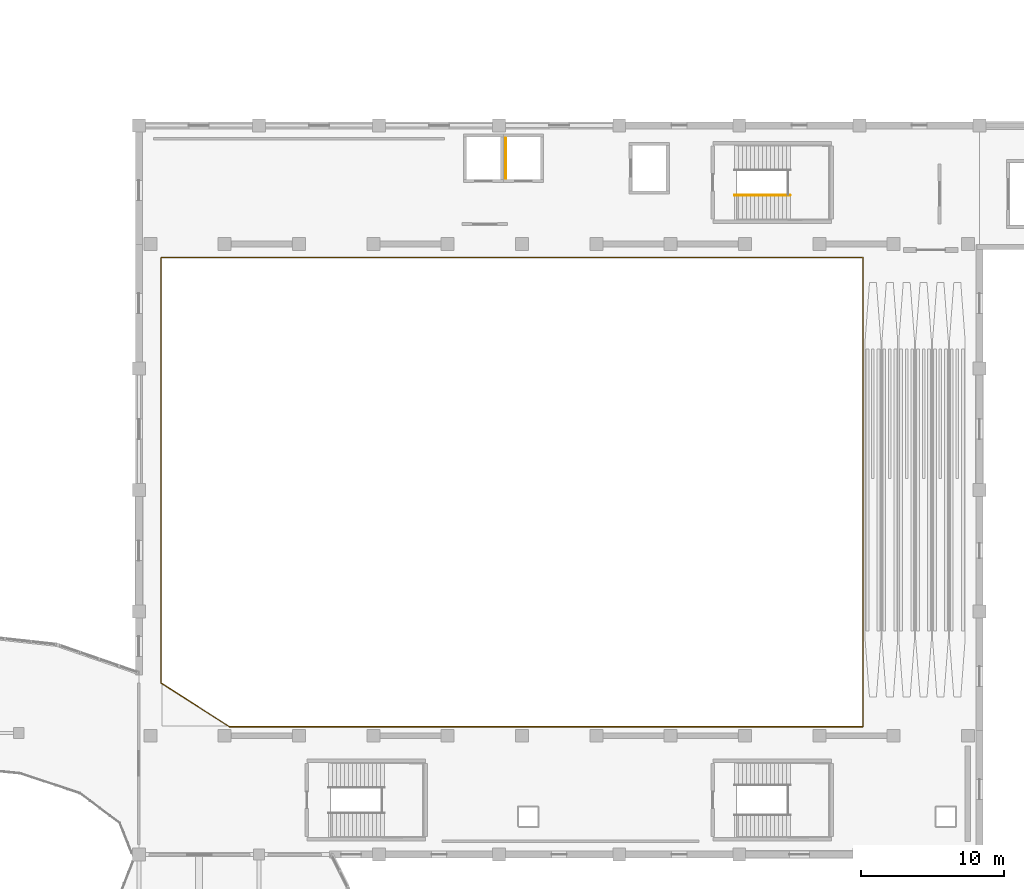
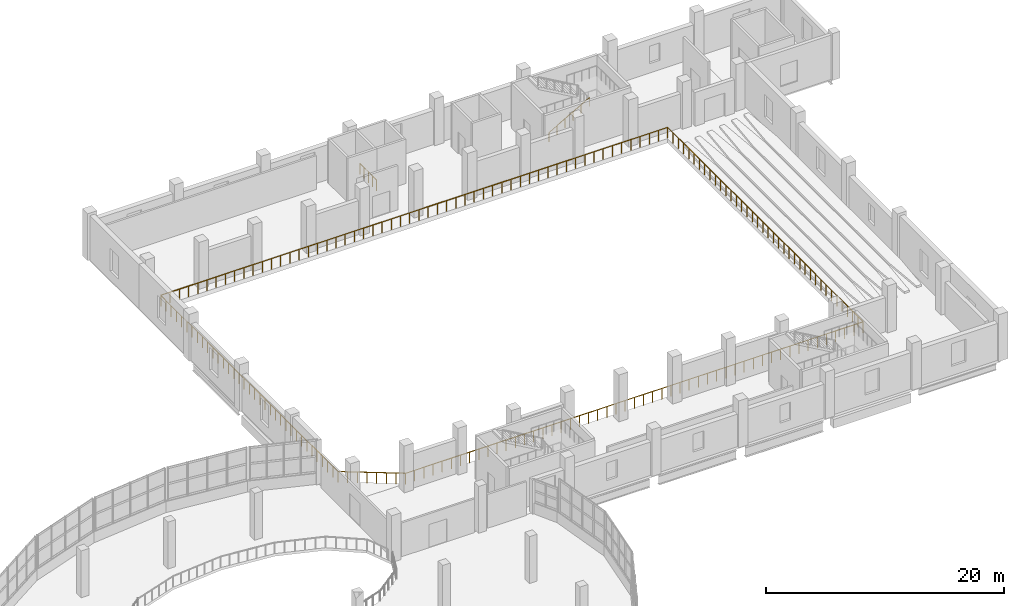
# One storey, part 73 of 77: 4 railings.
"""IFC4 building model written with IfcOpenShell, lengths in metres."""

from ifc_helpers import new_model, si_unit, direction, frame, origin, origin_2d, place, context, subcontext, project, spatial, circle, extrude, material, type_object, element, save


model = new_model("IFC4")

# Units and contexts
model_context = context("Model", 3, precision=1e-05, world=origin(), true_north=direction((0.0, 1.0)))
body_context = subcontext(model_context, "Body", "Model", "MODEL_VIEW")
ifc_project = project(units=[si_unit("LENGTHUNIT", "METRE"), si_unit("AREAUNIT", "SQUARE_METRE"), si_unit("VOLUMEUNIT", "CUBIC_METRE"), si_unit("PLANEANGLEUNIT", "RADIAN"), si_unit("MASSUNIT", "GRAM", prefix="KILO")], contexts=[model_context])

# Site, building, storey
site_placement = place(None, origin())
site = spatial("IfcSite", under=ifc_project, at=site_placement, CompositionType="ELEMENT")
building_placement = place(site_placement, origin())
building = spatial("IfcBuilding", under=site, at=building_placement, Name="Solvento Point Concert Hall", CompositionType="ELEMENT")
storey_placement = place(building_placement, frame((0.0, 0.0, 10.199951171875)))
storey = spatial("IfcBuildingStorey", under=building, at=storey_placement, Name="L02", CompositionType="ELEMENT", Elevation=10.199951171875)

# Railings
ifc_material_1 = material(Name="Brushed Stainless Steel Balustrade", Category="steel")
railing_type_1 = type_object("IfcRailingType", Name="StairHandrail_915", PredefinedType="HANDRAIL", material=ifc_material_1)
railing_1_placement = place(storey_placement, frame((116.050048828125, 88.610107421875, 0.16015625)))
element("IfcRailing", 1, at=railing_1_placement, inside=storey, type_object=railing_type_1, Name="Stair handrail HR-01 ST-03 L02 F1", PredefinedType="HANDRAIL", context=body_context, shape_type="SweptSolid", body=[
    extrude(circle(Radius=0.0224609375, at=origin_2d()), frame((0.0, 0.0, 0.892578125), z_axis=(0.868239814368, 0.0, 0.496144761885), x_axis=(0.0, 1.0, 0.0)), (0.0, 0.0, 1.0), 4.514892578125),
    extrude(circle(Radius=0.01904296875, at=origin_2d()), origin(), (0.0, 0.0, 1.0), 0.8701171875),
    extrude(circle(Radius=0.01904296875, at=origin_2d()), frame((0.783935546875, 0.0, 0.447998046875)), (0.0, 0.0, 1.0), 0.8701171875),
    extrude(circle(Radius=0.01904296875, at=origin_2d()), frame((1.56787109375, 0.0, 0.89599609375)), (0.0, 0.0, 1.0), 0.8701171875),
    extrude(circle(Radius=0.01904296875, at=origin_2d()), frame((2.35205078125, 0.0, 1.343994140625)), (0.0, 0.0, 1.0), 0.8701171875),
    extrude(circle(Radius=0.01904296875, at=origin_2d()), frame((3.135986328125, 0.0, 1.7919921875)), (0.0, 0.0, 1.0), 0.8701171875),
    extrude(circle(Radius=0.01904296875, at=origin_2d()), frame((3.919921875, 0.0, 2.239990234375)), (0.0, 0.0, 1.0), 0.8701171875),
])
ifc_material_2 = material(Name="Brushed Stainless Steel Balustrade", Category="steel")
railing_type_2 = type_object("IfcRailingType", Name="TerraceBalustrade_1100", PredefinedType="BALUSTRADE", material=ifc_material_2)
railing_2_placement = place(storey_placement, frame((75.93994140625, 84.22998046875, 0.0)))
element("IfcRailing", 2, at=railing_2_placement, inside=storey, type_object=railing_type_2, Name="Guard balustrade GR-01 L02", PredefinedType="BALUSTRADE", context=body_context, shape_type="SweptSolid", body=[
    extrude(circle(Radius=0.02392578125, at=origin_2d()), frame((0.0, 0.0, 1.09619140625), z_axis=(0.0, -1.0, 0.0), x_axis=(1.0, 0.0, 0.0)), (0.0, 0.0, 1.0), 29.734130859375),
    extrude(circle(Radius=0.02392578125, at=origin_2d()), frame((0.0, -29.734130859375, 1.09619140625), z_axis=(0.842498773823, -0.538698260724, 0.0), x_axis=(0.538698260724, 0.842498773823, 0.0)), (0.0, 0.0, 1.0), 5.6728515625),
    extrude(circle(Radius=0.02392578125, at=origin_2d()), frame((4.779296875, -32.7900390625, 1.09619140625), z_axis=(1.0, 0.0, 0.0), x_axis=(0.0, 1.0, 0.0)), (0.0, 0.0, 1.0), 44.310791015625),
    extrude(circle(Radius=0.02099609375, at=origin_2d()), origin(), (0.0, 0.0, 1.0), 1.072021484375),
    extrude(circle(Radius=0.02099609375, at=origin_2d()), frame((0.0, -0.87451171875, 0.0)), (0.0, 0.0, 1.0), 1.072021484375),
    extrude(circle(Radius=0.02099609375, at=origin_2d()), frame((0.0, -1.7490234375, 0.0)), (0.0, 0.0, 1.0), 1.072021484375),
    extrude(circle(Radius=0.02099609375, at=origin_2d()), frame((0.0, -2.62353515625, 0.0)), (0.0, 0.0, 1.0), 1.072021484375),
    extrude(circle(Radius=0.02099609375, at=origin_2d()), frame((0.0, -3.498046875, 0.0)), (0.0, 0.0, 1.0), 1.072021484375),
    extrude(circle(Radius=0.02099609375, at=origin_2d()), frame((0.0, -4.37255859375, 0.0)), (0.0, 0.0, 1.0), 1.072021484375),
    extrude(circle(Radius=0.02099609375, at=origin_2d()), frame((0.0, -5.247314453125, 0.0)), (0.0, 0.0, 1.0), 1.072021484375),
    extrude(circle(Radius=0.02099609375, at=origin_2d()), frame((0.0, -6.121826171875, 0.0)), (0.0, 0.0, 1.0), 1.072021484375),
    extrude(circle(Radius=0.02099609375, at=origin_2d()), frame((0.0, -6.996337890625, 0.0)), (0.0, 0.0, 1.0), 1.072021484375),
    extrude(circle(Radius=0.02099609375, at=origin_2d()), frame((0.0, -7.870849609375, 0.0)), (0.0, 0.0, 1.0), 1.072021484375),
    extrude(circle(Radius=0.02099609375, at=origin_2d()), frame((0.0, -8.745361328125, 0.0)), (0.0, 0.0, 1.0), 1.072021484375),
    extrude(circle(Radius=0.02099609375, at=origin_2d()), frame((0.0, -9.619873046875, 0.0)), (0.0, 0.0, 1.0), 1.072021484375),
    extrude(circle(Radius=0.02099609375, at=origin_2d()), frame((0.0, -10.494384765625, 0.0)), (0.0, 0.0, 1.0), 1.072021484375),
    extrude(circle(Radius=0.02099609375, at=origin_2d()), frame((0.0, -11.368896484375, 0.0)), (0.0, 0.0, 1.0), 1.072021484375),
    extrude(circle(Radius=0.02099609375, at=origin_2d()), frame((0.0, -12.243408203125, 0.0)), (0.0, 0.0, 1.0), 1.072021484375),
    extrude(circle(Radius=0.02099609375, at=origin_2d()), frame((0.0, -13.117919921875, 0.0)), (0.0, 0.0, 1.0), 1.072021484375),
    extrude(circle(Radius=0.02099609375, at=origin_2d()), frame((0.0, -13.992431640625, 0.0)), (0.0, 0.0, 1.0), 1.072021484375),
    extrude(circle(Radius=0.02099609375, at=origin_2d()), frame((0.0, -14.8671875, 0.0)), (0.0, 0.0, 1.0), 1.072021484375),
    extrude(circle(Radius=0.02099609375, at=origin_2d()), frame((0.0, -15.74169921875, 0.0)), (0.0, 0.0, 1.0), 1.072021484375),
    extrude(circle(Radius=0.02099609375, at=origin_2d()), frame((0.0, -16.6162109375, 0.0)), (0.0, 0.0, 1.0), 1.072021484375),
    extrude(circle(Radius=0.02099609375, at=origin_2d()), frame((0.0, -17.49072265625, 0.0)), (0.0, 0.0, 1.0), 1.072021484375),
    extrude(circle(Radius=0.02099609375, at=origin_2d()), frame((0.0, -18.365234375, 0.0)), (0.0, 0.0, 1.0), 1.072021484375),
    extrude(circle(Radius=0.02099609375, at=origin_2d()), frame((0.0, -19.23974609375, 0.0)), (0.0, 0.0, 1.0), 1.072021484375),
    extrude(circle(Radius=0.02099609375, at=origin_2d()), frame((0.0, -20.1142578125, 0.0)), (0.0, 0.0, 1.0), 1.072021484375),
    extrude(circle(Radius=0.02099609375, at=origin_2d()), frame((0.0, -20.98876953125, 0.0)), (0.0, 0.0, 1.0), 1.072021484375),
    extrude(circle(Radius=0.02099609375, at=origin_2d()), frame((0.0, -21.86328125, 0.0)), (0.0, 0.0, 1.0), 1.072021484375),
    extrude(circle(Radius=0.02099609375, at=origin_2d()), frame((0.0, -22.73779296875, 0.0)), (0.0, 0.0, 1.0), 1.072021484375),
    extrude(circle(Radius=0.02099609375, at=origin_2d()), frame((0.0, -23.6123046875, 0.0)), (0.0, 0.0, 1.0), 1.072021484375),
    extrude(circle(Radius=0.02099609375, at=origin_2d()), frame((0.0, -24.48681640625, 0.0)), (0.0, 0.0, 1.0), 1.072021484375),
    extrude(circle(Radius=0.02099609375, at=origin_2d()), frame((0.0, -25.361572265625, 0.0)), (0.0, 0.0, 1.0), 1.072021484375),
    extrude(circle(Radius=0.02099609375, at=origin_2d()), frame((0.0, -26.236083984375, 0.0)), (0.0, 0.0, 1.0), 1.072021484375),
    extrude(circle(Radius=0.02099609375, at=origin_2d()), frame((0.0, -27.110595703125, 0.0)), (0.0, 0.0, 1.0), 1.072021484375),
    extrude(circle(Radius=0.02099609375, at=origin_2d()), frame((0.0, -27.985107421875, 0.0)), (0.0, 0.0, 1.0), 1.072021484375),
    extrude(circle(Radius=0.02099609375, at=origin_2d()), frame((0.0, -28.859619140625, 0.0)), (0.0, 0.0, 1.0), 1.072021484375),
    extrude(circle(Radius=0.02099609375, at=origin_2d()), frame((0.0, -29.734130859375, 0.0)), (0.0, 0.0, 1.0), 1.072021484375),
    extrude(circle(Radius=0.02099609375, at=origin_2d()), frame((0.682861328125, -30.170654296875, 0.0)), (0.0, 0.0, 1.0), 1.072021484375),
    extrude(circle(Radius=0.02099609375, at=origin_2d()), frame((1.365478515625, -30.607177734375, 0.0)), (0.0, 0.0, 1.0), 1.072021484375),
    extrude(circle(Radius=0.02099609375, at=origin_2d()), frame((2.04833984375, -31.043701171875, 0.0)), (0.0, 0.0, 1.0), 1.072021484375),
    extrude(circle(Radius=0.02099609375, at=origin_2d()), frame((2.73095703125, -31.48046875, 0.0)), (0.0, 0.0, 1.0), 1.072021484375),
    extrude(circle(Radius=0.02099609375, at=origin_2d()), frame((3.413818359375, -31.9169921875, 0.0)), (0.0, 0.0, 1.0), 1.072021484375),
    extrude(circle(Radius=0.02099609375, at=origin_2d()), frame((4.096435546875, -32.353515625, 0.0)), (0.0, 0.0, 1.0), 1.072021484375),
    extrude(circle(Radius=0.02099609375, at=origin_2d()), frame((4.779296875, -32.7900390625, 0.0)), (0.0, 0.0, 1.0), 1.072021484375),
    extrude(circle(Radius=0.02099609375, at=origin_2d()), frame((5.66552734375, -32.7900390625, 0.0)), (0.0, 0.0, 1.0), 1.072021484375),
    extrude(circle(Radius=0.02099609375, at=origin_2d()), frame((6.5517578125, -32.7900390625, 0.0)), (0.0, 0.0, 1.0), 1.072021484375),
    extrude(circle(Radius=0.02099609375, at=origin_2d()), frame((7.43798828125, -32.7900390625, 0.0)), (0.0, 0.0, 1.0), 1.072021484375),
    extrude(circle(Radius=0.02099609375, at=origin_2d()), frame((8.32421875, -32.7900390625, 0.0)), (0.0, 0.0, 1.0), 1.072021484375),
    extrude(circle(Radius=0.02099609375, at=origin_2d()), frame((9.21044921875, -32.7900390625, 0.0)), (0.0, 0.0, 1.0), 1.072021484375),
    extrude(circle(Radius=0.02099609375, at=origin_2d()), frame((10.0966796875, -32.7900390625, 0.0)), (0.0, 0.0, 1.0), 1.072021484375),
    extrude(circle(Radius=0.02099609375, at=origin_2d()), frame((10.98291015625, -32.7900390625, 0.0)), (0.0, 0.0, 1.0), 1.072021484375),
    extrude(circle(Radius=0.02099609375, at=origin_2d()), frame((11.869140625, -32.7900390625, 0.0)), (0.0, 0.0, 1.0), 1.072021484375),
    extrude(circle(Radius=0.02099609375, at=origin_2d()), frame((12.755126953125, -32.7900390625, 0.0)), (0.0, 0.0, 1.0), 1.072021484375),
    extrude(circle(Radius=0.02099609375, at=origin_2d()), frame((13.641357421875, -32.7900390625, 0.0)), (0.0, 0.0, 1.0), 1.072021484375),
    extrude(circle(Radius=0.02099609375, at=origin_2d()), frame((14.527587890625, -32.7900390625, 0.0)), (0.0, 0.0, 1.0), 1.072021484375),
    extrude(circle(Radius=0.02099609375, at=origin_2d()), frame((15.413818359375, -32.7900390625, 0.0)), (0.0, 0.0, 1.0), 1.072021484375),
    extrude(circle(Radius=0.02099609375, at=origin_2d()), frame((16.300048828125, -32.7900390625, 0.0)), (0.0, 0.0, 1.0), 1.072021484375),
    extrude(circle(Radius=0.02099609375, at=origin_2d()), frame((17.186279296875, -32.7900390625, 0.0)), (0.0, 0.0, 1.0), 1.072021484375),
    extrude(circle(Radius=0.02099609375, at=origin_2d()), frame((18.072509765625, -32.7900390625, 0.0)), (0.0, 0.0, 1.0), 1.072021484375),
    extrude(circle(Radius=0.02099609375, at=origin_2d()), frame((18.958740234375, -32.7900390625, 0.0)), (0.0, 0.0, 1.0), 1.072021484375),
    extrude(circle(Radius=0.02099609375, at=origin_2d()), frame((19.844970703125, -32.7900390625, 0.0)), (0.0, 0.0, 1.0), 1.072021484375),
    extrude(circle(Radius=0.02099609375, at=origin_2d()), frame((20.731201171875, -32.7900390625, 0.0)), (0.0, 0.0, 1.0), 1.072021484375),
    extrude(circle(Radius=0.02099609375, at=origin_2d()), frame((21.617431640625, -32.7900390625, 0.0)), (0.0, 0.0, 1.0), 1.072021484375),
    extrude(circle(Radius=0.02099609375, at=origin_2d()), frame((22.503662109375, -32.7900390625, 0.0)), (0.0, 0.0, 1.0), 1.072021484375),
    extrude(circle(Radius=0.02099609375, at=origin_2d()), frame((23.389892578125, -32.7900390625, 0.0)), (0.0, 0.0, 1.0), 1.072021484375),
    extrude(circle(Radius=0.02099609375, at=origin_2d()), frame((24.276123046875, -32.7900390625, 0.0)), (0.0, 0.0, 1.0), 1.072021484375),
    extrude(circle(Radius=0.02099609375, at=origin_2d()), frame((25.162353515625, -32.7900390625, 0.0)), (0.0, 0.0, 1.0), 1.072021484375),
    extrude(circle(Radius=0.02099609375, at=origin_2d()), frame((26.048583984375, -32.7900390625, 0.0)), (0.0, 0.0, 1.0), 1.072021484375),
    extrude(circle(Radius=0.02099609375, at=origin_2d()), frame((26.9345703125, -32.7900390625, 0.0)), (0.0, 0.0, 1.0), 1.072021484375),
    extrude(circle(Radius=0.02099609375, at=origin_2d()), frame((27.82080078125, -32.7900390625, 0.0)), (0.0, 0.0, 1.0), 1.072021484375),
    extrude(circle(Radius=0.02099609375, at=origin_2d()), frame((28.70703125, -32.7900390625, 0.0)), (0.0, 0.0, 1.0), 1.072021484375),
    extrude(circle(Radius=0.02099609375, at=origin_2d()), frame((29.59326171875, -32.7900390625, 0.0)), (0.0, 0.0, 1.0), 1.072021484375),
    extrude(circle(Radius=0.02099609375, at=origin_2d()), frame((30.4794921875, -32.7900390625, 0.0)), (0.0, 0.0, 1.0), 1.072021484375),
    extrude(circle(Radius=0.02099609375, at=origin_2d()), frame((31.36572265625, -32.7900390625, 0.0)), (0.0, 0.0, 1.0), 1.072021484375),
    extrude(circle(Radius=0.02099609375, at=origin_2d()), frame((32.251953125, -32.7900390625, 0.0)), (0.0, 0.0, 1.0), 1.072021484375),
    extrude(circle(Radius=0.02099609375, at=origin_2d()), frame((33.13818359375, -32.7900390625, 0.0)), (0.0, 0.0, 1.0), 1.072021484375),
    extrude(circle(Radius=0.02099609375, at=origin_2d()), frame((34.0244140625, -32.7900390625, 0.0)), (0.0, 0.0, 1.0), 1.072021484375),
    extrude(circle(Radius=0.02099609375, at=origin_2d()), frame((34.91064453125, -32.7900390625, 0.0)), (0.0, 0.0, 1.0), 1.072021484375),
    extrude(circle(Radius=0.02099609375, at=origin_2d()), frame((35.796875, -32.7900390625, 0.0)), (0.0, 0.0, 1.0), 1.072021484375),
    extrude(circle(Radius=0.02099609375, at=origin_2d()), frame((36.68310546875, -32.7900390625, 0.0)), (0.0, 0.0, 1.0), 1.072021484375),
    extrude(circle(Radius=0.02099609375, at=origin_2d()), frame((37.5693359375, -32.7900390625, 0.0)), (0.0, 0.0, 1.0), 1.072021484375),
    extrude(circle(Radius=0.02099609375, at=origin_2d()), frame((38.45556640625, -32.7900390625, 0.0)), (0.0, 0.0, 1.0), 1.072021484375),
    extrude(circle(Radius=0.02099609375, at=origin_2d()), frame((39.341796875, -32.7900390625, 0.0)), (0.0, 0.0, 1.0), 1.072021484375),
    extrude(circle(Radius=0.02099609375, at=origin_2d()), frame((40.22802734375, -32.7900390625, 0.0)), (0.0, 0.0, 1.0), 1.072021484375),
    extrude(circle(Radius=0.02099609375, at=origin_2d()), frame((41.1142578125, -32.7900390625, 0.0)), (0.0, 0.0, 1.0), 1.072021484375),
    extrude(circle(Radius=0.02099609375, at=origin_2d()), frame((42.000244140625, -32.7900390625, 0.0)), (0.0, 0.0, 1.0), 1.072021484375),
    extrude(circle(Radius=0.02099609375, at=origin_2d()), frame((42.886474609375, -32.7900390625, 0.0)), (0.0, 0.0, 1.0), 1.072021484375),
    extrude(circle(Radius=0.02099609375, at=origin_2d()), frame((43.772705078125, -32.7900390625, 0.0)), (0.0, 0.0, 1.0), 1.072021484375),
    extrude(circle(Radius=0.02099609375, at=origin_2d()), frame((44.658935546875, -32.7900390625, 0.0)), (0.0, 0.0, 1.0), 1.072021484375),
    extrude(circle(Radius=0.02099609375, at=origin_2d()), frame((45.545166015625, -32.7900390625, 0.0)), (0.0, 0.0, 1.0), 1.072021484375),
    extrude(circle(Radius=0.02099609375, at=origin_2d()), frame((46.431396484375, -32.7900390625, 0.0)), (0.0, 0.0, 1.0), 1.072021484375),
    extrude(circle(Radius=0.02099609375, at=origin_2d()), frame((47.317626953125, -32.7900390625, 0.0)), (0.0, 0.0, 1.0), 1.072021484375),
    extrude(circle(Radius=0.02099609375, at=origin_2d()), frame((48.203857421875, -32.7900390625, 0.0)), (0.0, 0.0, 1.0), 1.072021484375),
    extrude(circle(Radius=0.02099609375, at=origin_2d()), frame((49.090087890625, -32.7900390625, 0.0)), (0.0, 0.0, 1.0), 1.072021484375),
])
railing_3_placement = place(storey_placement, frame((125.06005859375, 51.469970703125, 0.0)))
element("IfcRailing", 3, at=railing_3_placement, inside=storey, type_object=railing_type_2, Name="Guard balustrade GR-01 L02", PredefinedType="BALUSTRADE", context=body_context, shape_type="SweptSolid", body=[
    extrude(circle(Radius=0.02392578125, at=origin_2d()), frame((0.0, 0.0, 1.09619140625), z_axis=(0.0, 1.0, 0.0), x_axis=(-1.0, 0.0, 0.0)), (0.0, 0.0, 1.0), 32.7900390625),
    extrude(circle(Radius=0.02392578125, at=origin_2d()), frame((0.0, 32.7900390625, 1.09619140625), z_axis=(-1.0, 0.0, 0.0), x_axis=(0.0, -1.0, 0.0)), (0.0, 0.0, 1.0), 49.090087890625),
    extrude(circle(Radius=0.02099609375, at=origin_2d()), origin(), (0.0, 0.0, 1.0), 1.072021484375),
    extrude(circle(Radius=0.02099609375, at=origin_2d()), frame((0.0, 0.88623046875, 0.0)), (0.0, 0.0, 1.0), 1.072021484375),
    extrude(circle(Radius=0.02099609375, at=origin_2d()), frame((0.0, 1.7724609375, 0.0)), (0.0, 0.0, 1.0), 1.072021484375),
    extrude(circle(Radius=0.02099609375, at=origin_2d()), frame((0.0, 2.65869140625, 0.0)), (0.0, 0.0, 1.0), 1.072021484375),
    extrude(circle(Radius=0.02099609375, at=origin_2d()), frame((0.0, 3.544921875, 0.0)), (0.0, 0.0, 1.0), 1.072021484375),
    extrude(circle(Radius=0.02099609375, at=origin_2d()), frame((0.0, 4.43115234375, 0.0)), (0.0, 0.0, 1.0), 1.072021484375),
    extrude(circle(Radius=0.02099609375, at=origin_2d()), frame((0.0, 5.3173828125, 0.0)), (0.0, 0.0, 1.0), 1.072021484375),
    extrude(circle(Radius=0.02099609375, at=origin_2d()), frame((0.0, 6.20361328125, 0.0)), (0.0, 0.0, 1.0), 1.072021484375),
    extrude(circle(Radius=0.02099609375, at=origin_2d()), frame((0.0, 7.08984375, 0.0)), (0.0, 0.0, 1.0), 1.072021484375),
    extrude(circle(Radius=0.02099609375, at=origin_2d()), frame((0.0, 7.97607421875, 0.0)), (0.0, 0.0, 1.0), 1.072021484375),
    extrude(circle(Radius=0.02099609375, at=origin_2d()), frame((0.0, 8.862060546875, 0.0)), (0.0, 0.0, 1.0), 1.072021484375),
    extrude(circle(Radius=0.02099609375, at=origin_2d()), frame((0.0, 9.748291015625, 0.0)), (0.0, 0.0, 1.0), 1.072021484375),
    extrude(circle(Radius=0.02099609375, at=origin_2d()), frame((0.0, 10.634521484375, 0.0)), (0.0, 0.0, 1.0), 1.072021484375),
    extrude(circle(Radius=0.02099609375, at=origin_2d()), frame((0.0, 11.520751953125, 0.0)), (0.0, 0.0, 1.0), 1.072021484375),
    extrude(circle(Radius=0.02099609375, at=origin_2d()), frame((0.0, 12.406982421875, 0.0)), (0.0, 0.0, 1.0), 1.072021484375),
    extrude(circle(Radius=0.02099609375, at=origin_2d()), frame((0.0, 13.293212890625, 0.0)), (0.0, 0.0, 1.0), 1.072021484375),
    extrude(circle(Radius=0.02099609375, at=origin_2d()), frame((0.0, 14.179443359375, 0.0)), (0.0, 0.0, 1.0), 1.072021484375),
    extrude(circle(Radius=0.02099609375, at=origin_2d()), frame((0.0, 15.065673828125, 0.0)), (0.0, 0.0, 1.0), 1.072021484375),
    extrude(circle(Radius=0.02099609375, at=origin_2d()), frame((0.0, 15.951904296875, 0.0)), (0.0, 0.0, 1.0), 1.072021484375),
    extrude(circle(Radius=0.02099609375, at=origin_2d()), frame((0.0, 16.838134765625, 0.0)), (0.0, 0.0, 1.0), 1.072021484375),
    extrude(circle(Radius=0.02099609375, at=origin_2d()), frame((0.0, 17.724365234375, 0.0)), (0.0, 0.0, 1.0), 1.072021484375),
    extrude(circle(Radius=0.02099609375, at=origin_2d()), frame((0.0, 18.610595703125, 0.0)), (0.0, 0.0, 1.0), 1.072021484375),
    extrude(circle(Radius=0.02099609375, at=origin_2d()), frame((0.0, 19.496826171875, 0.0)), (0.0, 0.0, 1.0), 1.072021484375),
    extrude(circle(Radius=0.02099609375, at=origin_2d()), frame((0.0, 20.383056640625, 0.0)), (0.0, 0.0, 1.0), 1.072021484375),
    extrude(circle(Radius=0.02099609375, at=origin_2d()), frame((0.0, 21.269287109375, 0.0)), (0.0, 0.0, 1.0), 1.072021484375),
    extrude(circle(Radius=0.02099609375, at=origin_2d()), frame((0.0, 22.155517578125, 0.0)), (0.0, 0.0, 1.0), 1.072021484375),
    extrude(circle(Radius=0.02099609375, at=origin_2d()), frame((0.0, 23.041748046875, 0.0)), (0.0, 0.0, 1.0), 1.072021484375),
    extrude(circle(Radius=0.02099609375, at=origin_2d()), frame((0.0, 23.927978515625, 0.0)), (0.0, 0.0, 1.0), 1.072021484375),
    extrude(circle(Radius=0.02099609375, at=origin_2d()), frame((0.0, 24.81396484375, 0.0)), (0.0, 0.0, 1.0), 1.072021484375),
    extrude(circle(Radius=0.02099609375, at=origin_2d()), frame((0.0, 25.7001953125, 0.0)), (0.0, 0.0, 1.0), 1.072021484375),
    extrude(circle(Radius=0.02099609375, at=origin_2d()), frame((0.0, 26.58642578125, 0.0)), (0.0, 0.0, 1.0), 1.072021484375),
    extrude(circle(Radius=0.02099609375, at=origin_2d()), frame((0.0, 27.47265625, 0.0)), (0.0, 0.0, 1.0), 1.072021484375),
    extrude(circle(Radius=0.02099609375, at=origin_2d()), frame((0.0, 28.35888671875, 0.0)), (0.0, 0.0, 1.0), 1.072021484375),
    extrude(circle(Radius=0.02099609375, at=origin_2d()), frame((0.0, 29.2451171875, 0.0)), (0.0, 0.0, 1.0), 1.072021484375),
    extrude(circle(Radius=0.02099609375, at=origin_2d()), frame((0.0, 30.13134765625, 0.0)), (0.0, 0.0, 1.0), 1.072021484375),
    extrude(circle(Radius=0.02099609375, at=origin_2d()), frame((0.0, 31.017578125, 0.0)), (0.0, 0.0, 1.0), 1.072021484375),
    extrude(circle(Radius=0.02099609375, at=origin_2d()), frame((0.0, 31.90380859375, 0.0)), (0.0, 0.0, 1.0), 1.072021484375),
    extrude(circle(Radius=0.02099609375, at=origin_2d()), frame((0.0, 32.7900390625, 0.0)), (0.0, 0.0, 1.0), 1.072021484375),
    extrude(circle(Radius=0.02099609375, at=origin_2d()), frame((-0.892578125, 32.7900390625, 0.0)), (0.0, 0.0, 1.0), 1.072021484375),
    extrude(circle(Radius=0.02099609375, at=origin_2d()), frame((-1.78515625, 32.7900390625, 0.0)), (0.0, 0.0, 1.0), 1.072021484375),
    extrude(circle(Radius=0.02099609375, at=origin_2d()), frame((-2.677734375, 32.7900390625, 0.0)), (0.0, 0.0, 1.0), 1.072021484375),
    extrude(circle(Radius=0.02099609375, at=origin_2d()), frame((-3.570068359375, 32.7900390625, 0.0)), (0.0, 0.0, 1.0), 1.072021484375),
    extrude(circle(Radius=0.02099609375, at=origin_2d()), frame((-4.462646484375, 32.7900390625, 0.0)), (0.0, 0.0, 1.0), 1.072021484375),
    extrude(circle(Radius=0.02099609375, at=origin_2d()), frame((-5.355224609375, 32.7900390625, 0.0)), (0.0, 0.0, 1.0), 1.072021484375),
    extrude(circle(Radius=0.02099609375, at=origin_2d()), frame((-6.247802734375, 32.7900390625, 0.0)), (0.0, 0.0, 1.0), 1.072021484375),
    extrude(circle(Radius=0.02099609375, at=origin_2d()), frame((-7.140380859375, 32.7900390625, 0.0)), (0.0, 0.0, 1.0), 1.072021484375),
    extrude(circle(Radius=0.02099609375, at=origin_2d()), frame((-8.032958984375, 32.7900390625, 0.0)), (0.0, 0.0, 1.0), 1.072021484375),
    extrude(circle(Radius=0.02099609375, at=origin_2d()), frame((-8.925537109375, 32.7900390625, 0.0)), (0.0, 0.0, 1.0), 1.072021484375),
    extrude(circle(Radius=0.02099609375, at=origin_2d()), frame((-9.818115234375, 32.7900390625, 0.0)), (0.0, 0.0, 1.0), 1.072021484375),
    extrude(circle(Radius=0.02099609375, at=origin_2d()), frame((-10.71044921875, 32.7900390625, 0.0)), (0.0, 0.0, 1.0), 1.072021484375),
    extrude(circle(Radius=0.02099609375, at=origin_2d()), frame((-11.60302734375, 32.7900390625, 0.0)), (0.0, 0.0, 1.0), 1.072021484375),
    extrude(circle(Radius=0.02099609375, at=origin_2d()), frame((-12.49560546875, 32.7900390625, 0.0)), (0.0, 0.0, 1.0), 1.072021484375),
    extrude(circle(Radius=0.02099609375, at=origin_2d()), frame((-13.38818359375, 32.7900390625, 0.0)), (0.0, 0.0, 1.0), 1.072021484375),
    extrude(circle(Radius=0.02099609375, at=origin_2d()), frame((-14.28076171875, 32.7900390625, 0.0)), (0.0, 0.0, 1.0), 1.072021484375),
    extrude(circle(Radius=0.02099609375, at=origin_2d()), frame((-15.17333984375, 32.7900390625, 0.0)), (0.0, 0.0, 1.0), 1.072021484375),
    extrude(circle(Radius=0.02099609375, at=origin_2d()), frame((-16.06591796875, 32.7900390625, 0.0)), (0.0, 0.0, 1.0), 1.072021484375),
    extrude(circle(Radius=0.02099609375, at=origin_2d()), frame((-16.95849609375, 32.7900390625, 0.0)), (0.0, 0.0, 1.0), 1.072021484375),
    extrude(circle(Radius=0.02099609375, at=origin_2d()), frame((-17.850830078125, 32.7900390625, 0.0)), (0.0, 0.0, 1.0), 1.072021484375),
    extrude(circle(Radius=0.02099609375, at=origin_2d()), frame((-18.743408203125, 32.7900390625, 0.0)), (0.0, 0.0, 1.0), 1.072021484375),
    extrude(circle(Radius=0.02099609375, at=origin_2d()), frame((-19.635986328125, 32.7900390625, 0.0)), (0.0, 0.0, 1.0), 1.072021484375),
    extrude(circle(Radius=0.02099609375, at=origin_2d()), frame((-20.528564453125, 32.7900390625, 0.0)), (0.0, 0.0, 1.0), 1.072021484375),
    extrude(circle(Radius=0.02099609375, at=origin_2d()), frame((-21.421142578125, 32.7900390625, 0.0)), (0.0, 0.0, 1.0), 1.072021484375),
    extrude(circle(Radius=0.02099609375, at=origin_2d()), frame((-22.313720703125, 32.7900390625, 0.0)), (0.0, 0.0, 1.0), 1.072021484375),
    extrude(circle(Radius=0.02099609375, at=origin_2d()), frame((-23.206298828125, 32.7900390625, 0.0)), (0.0, 0.0, 1.0), 1.072021484375),
    extrude(circle(Radius=0.02099609375, at=origin_2d()), frame((-24.098876953125, 32.7900390625, 0.0)), (0.0, 0.0, 1.0), 1.072021484375),
    extrude(circle(Radius=0.02099609375, at=origin_2d()), frame((-24.9912109375, 32.7900390625, 0.0)), (0.0, 0.0, 1.0), 1.072021484375),
    extrude(circle(Radius=0.02099609375, at=origin_2d()), frame((-25.8837890625, 32.7900390625, 0.0)), (0.0, 0.0, 1.0), 1.072021484375),
    extrude(circle(Radius=0.02099609375, at=origin_2d()), frame((-26.7763671875, 32.7900390625, 0.0)), (0.0, 0.0, 1.0), 1.072021484375),
    extrude(circle(Radius=0.02099609375, at=origin_2d()), frame((-27.6689453125, 32.7900390625, 0.0)), (0.0, 0.0, 1.0), 1.072021484375),
    extrude(circle(Radius=0.02099609375, at=origin_2d()), frame((-28.5615234375, 32.7900390625, 0.0)), (0.0, 0.0, 1.0), 1.072021484375),
    extrude(circle(Radius=0.02099609375, at=origin_2d()), frame((-29.4541015625, 32.7900390625, 0.0)), (0.0, 0.0, 1.0), 1.072021484375),
    extrude(circle(Radius=0.02099609375, at=origin_2d()), frame((-30.3466796875, 32.7900390625, 0.0)), (0.0, 0.0, 1.0), 1.072021484375),
    extrude(circle(Radius=0.02099609375, at=origin_2d()), frame((-31.2392578125, 32.7900390625, 0.0)), (0.0, 0.0, 1.0), 1.072021484375),
    extrude(circle(Radius=0.02099609375, at=origin_2d()), frame((-32.131591796875, 32.7900390625, 0.0)), (0.0, 0.0, 1.0), 1.072021484375),
    extrude(circle(Radius=0.02099609375, at=origin_2d()), frame((-33.024169921875, 32.7900390625, 0.0)), (0.0, 0.0, 1.0), 1.072021484375),
    extrude(circle(Radius=0.02099609375, at=origin_2d()), frame((-33.916748046875, 32.7900390625, 0.0)), (0.0, 0.0, 1.0), 1.072021484375),
    extrude(circle(Radius=0.02099609375, at=origin_2d()), frame((-34.809326171875, 32.7900390625, 0.0)), (0.0, 0.0, 1.0), 1.072021484375),
    extrude(circle(Radius=0.02099609375, at=origin_2d()), frame((-35.701904296875, 32.7900390625, 0.0)), (0.0, 0.0, 1.0), 1.072021484375),
    extrude(circle(Radius=0.02099609375, at=origin_2d()), frame((-36.594482421875, 32.7900390625, 0.0)), (0.0, 0.0, 1.0), 1.072021484375),
    extrude(circle(Radius=0.02099609375, at=origin_2d()), frame((-37.487060546875, 32.7900390625, 0.0)), (0.0, 0.0, 1.0), 1.072021484375),
    extrude(circle(Radius=0.02099609375, at=origin_2d()), frame((-38.379638671875, 32.7900390625, 0.0)), (0.0, 0.0, 1.0), 1.072021484375),
    extrude(circle(Radius=0.02099609375, at=origin_2d()), frame((-39.27197265625, 32.7900390625, 0.0)), (0.0, 0.0, 1.0), 1.072021484375),
    extrude(circle(Radius=0.02099609375, at=origin_2d()), frame((-40.16455078125, 32.7900390625, 0.0)), (0.0, 0.0, 1.0), 1.072021484375),
    extrude(circle(Radius=0.02099609375, at=origin_2d()), frame((-41.05712890625, 32.7900390625, 0.0)), (0.0, 0.0, 1.0), 1.072021484375),
    extrude(circle(Radius=0.02099609375, at=origin_2d()), frame((-41.94970703125, 32.7900390625, 0.0)), (0.0, 0.0, 1.0), 1.072021484375),
    extrude(circle(Radius=0.02099609375, at=origin_2d()), frame((-42.84228515625, 32.7900390625, 0.0)), (0.0, 0.0, 1.0), 1.072021484375),
    extrude(circle(Radius=0.02099609375, at=origin_2d()), frame((-43.73486328125, 32.7900390625, 0.0)), (0.0, 0.0, 1.0), 1.072021484375),
    extrude(circle(Radius=0.02099609375, at=origin_2d()), frame((-44.62744140625, 32.7900390625, 0.0)), (0.0, 0.0, 1.0), 1.072021484375),
    extrude(circle(Radius=0.02099609375, at=origin_2d()), frame((-45.52001953125, 32.7900390625, 0.0)), (0.0, 0.0, 1.0), 1.072021484375),
    extrude(circle(Radius=0.02099609375, at=origin_2d()), frame((-46.412353515625, 32.7900390625, 0.0)), (0.0, 0.0, 1.0), 1.072021484375),
    extrude(circle(Radius=0.02099609375, at=origin_2d()), frame((-47.304931640625, 32.7900390625, 0.0)), (0.0, 0.0, 1.0), 1.072021484375),
    extrude(circle(Radius=0.02099609375, at=origin_2d()), frame((-48.197509765625, 32.7900390625, 0.0)), (0.0, 0.0, 1.0), 1.072021484375),
    extrude(circle(Radius=0.02099609375, at=origin_2d()), frame((-49.090087890625, 32.7900390625, 0.0)), (0.0, 0.0, 1.0), 1.072021484375),
])
railing_4_placement = place(storey_placement, frame((100.06005859375, 92.610107421875, 0.0)))
element("IfcRailing", 4, at=railing_4_placement, inside=storey, type_object=railing_type_2, Name="Guard balustrade GR-01 L02", PredefinedType="BALUSTRADE", context=body_context, shape_type="SweptSolid", body=[
    extrude(circle(Radius=0.02392578125, at=origin_2d()), frame((0.0, 0.0, 1.09619140625), z_axis=(0.0, -1.0, 0.0), x_axis=(1.0, 0.0, 0.0)), (0.0, 0.0, 1.0), 2.820068359375),
    extrude(circle(Radius=0.02099609375, at=origin_2d()), origin(), (0.0, 0.0, 1.0), 1.072021484375),
    extrude(circle(Radius=0.02099609375, at=origin_2d()), frame((0.0, -0.705078125, 0.0)), (0.0, 0.0, 1.0), 1.072021484375),
    extrude(circle(Radius=0.02099609375, at=origin_2d()), frame((0.0, -1.41015625, 0.0)), (0.0, 0.0, 1.0), 1.072021484375),
    extrude(circle(Radius=0.02099609375, at=origin_2d()), frame((0.0, -2.114990234375, 0.0)), (0.0, 0.0, 1.0), 1.072021484375),
    extrude(circle(Radius=0.02099609375, at=origin_2d()), frame((0.0, -2.820068359375, 0.0)), (0.0, 0.0, 1.0), 1.072021484375),
])

save(model, "model.ifc")
